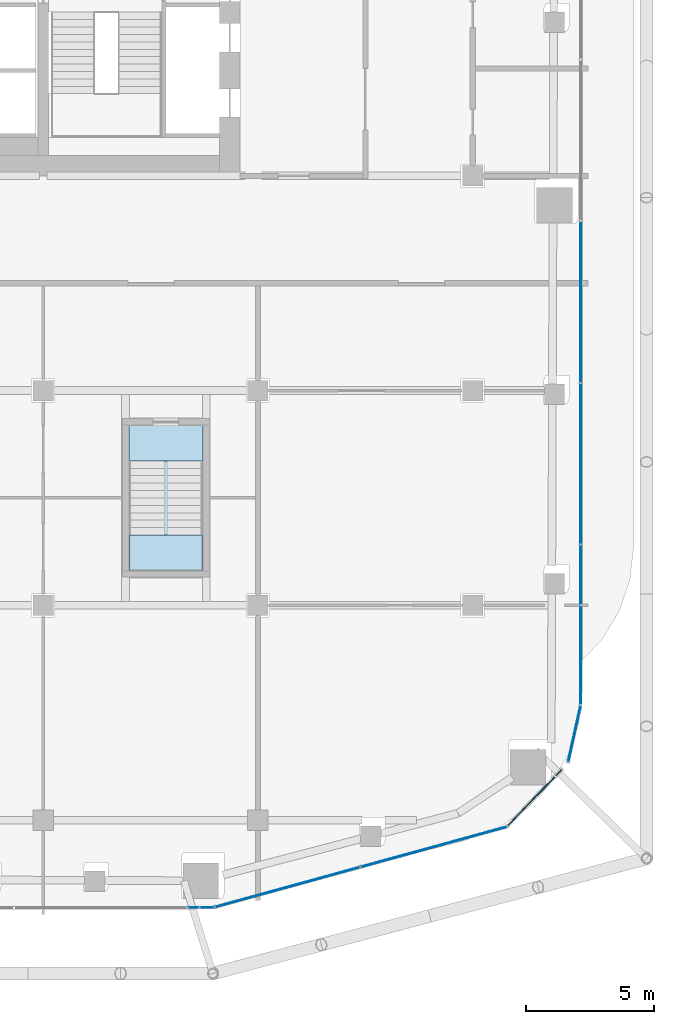
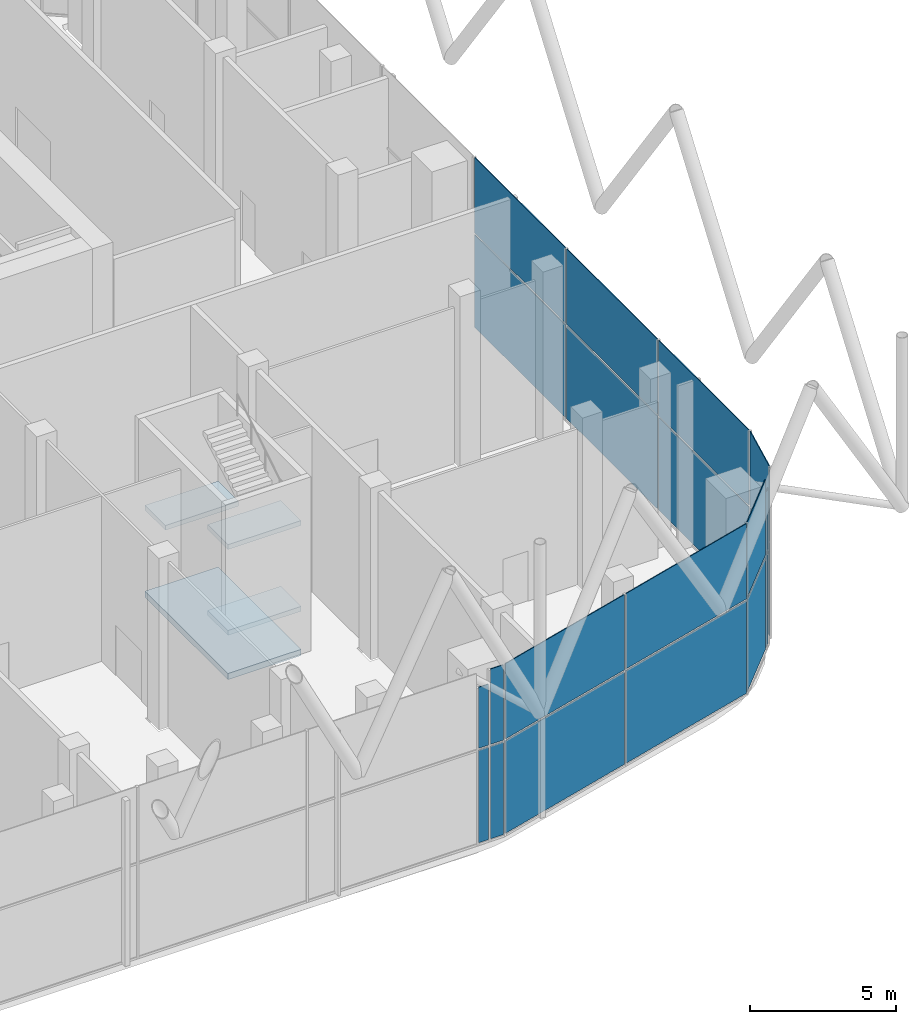
# One storey, part 15 of 25: 20 plates, 4 slabs, 8 elements without a shape of their own.
"""IFC4 building model written with IfcOpenShell, lengths in metres."""

from ifc_helpers import new_model, si_unit, direction, frame, origin, origin_2d, place, context, subcontext, project, spatial, polyline, rectangle, outline, extrude, material, layer, layer_set, type_object, element, aggregate, save


model = new_model("IFC4")

# Units and contexts
model_context = context("Model", 3, precision=1e-05, world=origin(), true_north=direction((0.0, 1.0)))
body_context = subcontext(model_context, "Body", "Model", "MODEL_VIEW")
ifc_project = project(units=[si_unit("LENGTHUNIT", "METRE"), si_unit("AREAUNIT", "SQUARE_METRE"), si_unit("VOLUMEUNIT", "CUBIC_METRE"), si_unit("PLANEANGLEUNIT", "RADIAN"), si_unit("MASSUNIT", "GRAM", prefix="KILO")], contexts=[model_context])

# Site, building, storey
site_placement = place(None, origin())
site = spatial("IfcSite", under=ifc_project, at=site_placement, CompositionType="ELEMENT")
building_placement = place(site_placement, origin())
building = spatial("IfcBuilding", under=site, at=building_placement, Name="Marenta Gate Hotel Tower", CompositionType="ELEMENT")
storey_placement = place(building_placement, frame((0.0, 0.0, 180.5)))
storey = spatial("IfcBuildingStorey", under=building, at=storey_placement, Name="L41", CompositionType="ELEMENT", Elevation=180.5)

# Curtain wall, plates
ifc_material_1 = material(Name="Tinted insulated glass in bronze anodised frame", Category="glass")
ifc_layer_1 = layer(ifc_material_1, 0.1298828125)
ifc_layer_set_1 = layer_set([ifc_layer_1], Name="Tinted insulated glass in bronze anodised frame")
curtain_wall_type = type_object("IfcCurtainWallType", Name="Sky lobby glazing CW2", PredefinedType="NOTDEFINED", material=ifc_layer_set_1)
curtain_wall_1_placement = place(storey_placement, origin())
curtain_wall_1 = element("IfcCurtainWall", 1, at=curtain_wall_1_placement, inside=storey, type_object=curtain_wall_type, Name="CW2 run G13", PredefinedType="NOTDEFINED")
ifc_material_2 = material(Name="Tinted insulated glass", Category="glass")
ifc_layer_2 = layer(ifc_material_2, 0.033935546875)
ifc_layer_set_2 = layer_set([ifc_layer_2], Name="Tinted insulated glass")
plate_type = type_object("IfcPlateType", Name="Glass panel CW2 34 mm tinted insulated unit", PredefinedType="CURTAIN_PANEL", material=ifc_layer_set_2)
plate_1_placement = place(storey_placement, frame((10.073486328125, -28.618896484375, 0.080078125), z_axis=(0.0, 0.0, 1.0), x_axis=(0.999998577531, 0.001686693784, 0.0)))
plate_1 = element("IfcPlate", 2, at=plate_1_placement, type_object=plate_type, Name="CW2 panel 1.1", PredefinedType="CURTAIN_PANEL", context=body_context, shape_type="SweptSolid", body=[
    extrude(rectangle(XDim=0.394287109375, YDim=0.033935546875, at=origin_2d()), origin(), (0.0, 0.0, 1.0), 3.8798828125),
])
plate_2_placement = place(storey_placement, frame((10.073486328125, -28.618896484375, 4.0400390625), z_axis=(0.0, 0.0, 1.0), x_axis=(0.999998577531, 0.001686693784, 0.0)))
plate_2 = element("IfcPlate", 3, at=plate_2_placement, type_object=plate_type, Name="CW2 panel 1.2", PredefinedType="CURTAIN_PANEL", context=body_context, shape_type="SweptSolid", body=[
    extrude(rectangle(XDim=0.394287109375, YDim=0.033935546875, at=origin_2d()), origin(), (0.0, 0.0, 1.0), 2.560546875),
])
aggregate(curtain_wall_1, [plate_1, plate_2])

curtain_wall_2_placement = place(storey_placement, origin())
curtain_wall_2 = element("IfcCurtainWall", 4, at=curtain_wall_2_placement, inside=storey, type_object=curtain_wall_type, Name="CW2 run G14", PredefinedType="NOTDEFINED")
plate_3_placement = place(storey_placement, frame((10.612548828125, -28.617919921875, 0.080078125), z_axis=(0.0, 0.0, 1.0), x_axis=(0.999998628086, 0.001656449609, 0.0)))
plate_3 = element("IfcPlate", 5, at=plate_3_placement, type_object=plate_type, Name="CW2 panel 1.1", PredefinedType="CURTAIN_PANEL", context=body_context, shape_type="SweptSolid", body=[
    extrude(rectangle(XDim=0.523681640625, YDim=0.033935546875, at=origin_2d()), origin(), (0.0, 0.0, 1.0), 3.8798828125),
])
plate_4_placement = place(storey_placement, frame((10.612548828125, -28.617919921875, 4.0400390625), z_axis=(0.0, 0.0, 1.0), x_axis=(0.999998628086, 0.001656449609, 0.0)))
plate_4 = element("IfcPlate", 6, at=plate_4_placement, type_object=plate_type, Name="CW2 panel 1.2", PredefinedType="CURTAIN_PANEL", context=body_context, shape_type="SweptSolid", body=[
    extrude(rectangle(XDim=0.523681640625, YDim=0.033935546875, at=origin_2d()), origin(), (0.0, 0.0, 1.0), 3.159912109375),
])
aggregate(curtain_wall_2, [plate_3, plate_4])

curtain_wall_3_placement = place(storey_placement, origin())
curtain_wall_3 = element("IfcCurtainWall", 7, at=curtain_wall_3_placement, inside=storey, type_object=curtain_wall_type, Name="CW2 run G15", PredefinedType="NOTDEFINED")
plate_5_placement = place(storey_placement, frame((13.7568359375, -27.824462890625, 0.080078125), z_axis=(0.0, 0.0, 1.0), x_axis=(0.964166102603, 0.265299315098, 0.0)))
plate_5 = element("IfcPlate", 8, at=plate_5_placement, type_object=plate_type, Name="CW2 panel 1.1", PredefinedType="CURTAIN_PANEL", context=body_context, shape_type="SweptSolid", body=[
    extrude(rectangle(XDim=5.8193359375, YDim=0.033935546875, at=origin_2d()), origin(), (0.0, 0.0, 1.0), 3.8798828125),
])
plate_6_placement = place(storey_placement, frame((13.7568359375, -27.824462890625, 4.0400390625), z_axis=(0.0, 0.0, 1.0), x_axis=(0.964166102603, 0.265299315098, 0.0)))
plate_6 = element("IfcPlate", 9, at=plate_6_placement, type_object=plate_type, Name="CW2 panel 1.2", PredefinedType="CURTAIN_PANEL", context=body_context, shape_type="SweptSolid", body=[
    extrude(rectangle(XDim=5.8193359375, YDim=0.033935546875, at=origin_2d()), origin(), (0.0, 0.0, 1.0), 3.159912109375),
])
plate_7_placement = place(storey_placement, frame((19.4833984375, -26.24853515625, 0.080078125), z_axis=(0.0, 0.0, 1.0), x_axis=(0.964166102603, 0.265299315098, 0.0)))
plate_7 = element("IfcPlate", 10, at=plate_7_placement, type_object=plate_type, Name="CW2 panel 2.1", PredefinedType="CURTAIN_PANEL", context=body_context, shape_type="SweptSolid", body=[
    extrude(rectangle(XDim=5.8994140625, YDim=0.033935546875, at=origin_2d()), origin(), (0.0, 0.0, 1.0), 3.8798828125),
])
plate_8_placement = place(storey_placement, frame((19.4833984375, -26.24853515625, 4.0400390625), z_axis=(0.0, 0.0, 1.0), x_axis=(0.964166102603, 0.265299315098, 0.0)))
plate_8 = element("IfcPlate", 11, at=plate_8_placement, type_object=plate_type, Name="CW2 panel 2.2", PredefinedType="CURTAIN_PANEL", context=body_context, shape_type="SweptSolid", body=[
    extrude(rectangle(XDim=5.8994140625, YDim=0.033935546875, at=origin_2d()), origin(), (0.0, 0.0, 1.0), 3.159912109375),
])
aggregate(curtain_wall_3, [plate_5, plate_6, plate_7, plate_8])

curtain_wall_4_placement = place(storey_placement, origin())
curtain_wall_4 = element("IfcCurtainWall", 12, at=curtain_wall_4_placement, inside=storey, type_object=curtain_wall_type, Name="CW2 run G16", PredefinedType="NOTDEFINED")
plate_9_placement = place(storey_placement, frame((23.294921875, -24.45849609375, 0.080078125), z_axis=(0.0, 0.0, 1.0), x_axis=(0.692570946291, 0.721349765616, 0.0)))
plate_9 = element("IfcPlate", 13, at=plate_9_placement, type_object=plate_type, Name="CW2 panel 1.1", PredefinedType="CURTAIN_PANEL", context=body_context, shape_type="SweptSolid", body=[
    extrude(rectangle(XDim=2.6337890625, YDim=0.033935546875, at=origin_2d()), origin(), (0.0, 0.0, 1.0), 3.8798828125),
])
plate_10_placement = place(storey_placement, frame((23.294921875, -24.45849609375, 4.0400390625), z_axis=(0.0, 0.0, 1.0), x_axis=(0.692570946291, 0.721349765616, 0.0)))
plate_10 = element("IfcPlate", 14, at=plate_10_placement, type_object=plate_type, Name="CW2 panel 1.2", PredefinedType="CURTAIN_PANEL", context=body_context, shape_type="SweptSolid", body=[
    extrude(rectangle(XDim=2.6337890625, YDim=0.033935546875, at=origin_2d()), origin(), (0.0, 0.0, 1.0), 3.159912109375),
])
aggregate(curtain_wall_4, [plate_9, plate_10])

curtain_wall_5_placement = place(storey_placement, origin())
curtain_wall_5 = element("IfcCurtainWall", 15, at=curtain_wall_5_placement, inside=storey, type_object=curtain_wall_type, Name="CW2 run G17", PredefinedType="NOTDEFINED")
plate_11_placement = place(storey_placement, frame((24.36376953125, -23.34521484375, 0.080078125), z_axis=(0.0, 0.0, 1.0), x_axis=(0.692499661278, 0.721418199888, 0.0)))
plate_11 = element("IfcPlate", 16, at=plate_11_placement, type_object=plate_type, Name="CW2 panel 1.1", PredefinedType="CURTAIN_PANEL", context=body_context, shape_type="SweptSolid", body=[
    extrude(rectangle(XDim=0.29296875, YDim=0.033935546875, at=origin_2d()), origin(), (0.0, 0.0, 1.0), 3.8798828125),
])
plate_12_placement = place(storey_placement, frame((24.36376953125, -23.34521484375, 4.0400390625), z_axis=(0.0, 0.0, 1.0), x_axis=(0.692499661278, 0.721418199888, 0.0)))
plate_12 = element("IfcPlate", 17, at=plate_12_placement, type_object=plate_type, Name="CW2 panel 1.2", PredefinedType="CURTAIN_PANEL", context=body_context, shape_type="SweptSolid", body=[
    extrude(rectangle(XDim=0.29296875, YDim=0.033935546875, at=origin_2d()), origin(), (0.0, 0.0, 1.0), 2.560546875),
])
aggregate(curtain_wall_5, [plate_11, plate_12])

curtain_wall_6_placement = place(storey_placement, origin())
curtain_wall_6 = element("IfcCurtainWall", 18, at=curtain_wall_6_placement, inside=storey, type_object=curtain_wall_type, Name="CW2 run G18", PredefinedType="NOTDEFINED")
plate_13_placement = place(storey_placement, frame((24.980712890625, -21.817626953125, 0.080078125), z_axis=(0.0, 0.0, 1.0), x_axis=(0.216842168038, 0.976206675946, 0.0)))
plate_13 = element("IfcPlate", 19, at=plate_13_placement, type_object=plate_type, Name="CW2 panel 1.1", PredefinedType="CURTAIN_PANEL", context=body_context, shape_type="SweptSolid", body=[
    extrude(rectangle(XDim=2.198486328125, YDim=0.033935546875, at=origin_2d()), origin(), (0.0, 0.0, 1.0), 3.8798828125),
])
plate_14_placement = place(storey_placement, frame((24.980712890625, -21.817626953125, 4.0400390625), z_axis=(0.0, 0.0, 1.0), x_axis=(0.216842168038, 0.976206675946, 0.0)))
plate_14 = element("IfcPlate", 20, at=plate_14_placement, type_object=plate_type, Name="CW2 panel 1.2", PredefinedType="CURTAIN_PANEL", context=body_context, shape_type="SweptSolid", body=[
    extrude(rectangle(XDim=2.198486328125, YDim=0.033935546875, at=origin_2d()), origin(), (0.0, 0.0, 1.0), 3.159912109375),
])
aggregate(curtain_wall_6, [plate_13, plate_14])

curtain_wall_7_placement = place(storey_placement, origin())
curtain_wall_7 = element("IfcCurtainWall", 21, at=curtain_wall_7_placement, inside=storey, type_object=curtain_wall_type, Name="CW2 run G19", PredefinedType="NOTDEFINED")
plate_15_placement = place(storey_placement, frame((25.218994140625, -17.56298828125, 0.080078125), z_axis=(0.0, 0.0, 1.0), x_axis=(0.0, 1.0, 0.0)))
plate_15 = element("IfcPlate", 22, at=plate_15_placement, type_object=plate_type, Name="CW2 panel 1.1", PredefinedType="CURTAIN_PANEL", context=body_context, shape_type="SweptSolid", body=[
    extrude(rectangle(XDim=6.202880859375, YDim=0.033935546875, at=origin_2d()), origin(), (0.0, 0.0, 1.0), 3.8798828125),
])
plate_16_placement = place(storey_placement, frame((25.218994140625, -17.56298828125, 4.0400390625), z_axis=(0.0, 0.0, 1.0), x_axis=(0.0, 1.0, 0.0)))
plate_16 = element("IfcPlate", 23, at=plate_16_placement, type_object=plate_type, Name="CW2 panel 1.2", PredefinedType="CURTAIN_PANEL", context=body_context, shape_type="SweptSolid", body=[
    extrude(rectangle(XDim=6.202880859375, YDim=0.033935546875, at=origin_2d()), origin(), (0.0, 0.0, 1.0), 3.159912109375),
])
plate_17_placement = place(storey_placement, frame((25.218994140625, -11.26025390625, 0.080078125), z_axis=(0.0, 0.0, 1.0), x_axis=(0.0, 1.0, 0.0)))
plate_17 = element("IfcPlate", 24, at=plate_17_placement, type_object=plate_type, Name="CW2 panel 2.1", PredefinedType="CURTAIN_PANEL", context=body_context, shape_type="SweptSolid", body=[
    extrude(rectangle(XDim=6.242919921875, YDim=0.033935546875, at=origin_2d()), origin(), (0.0, 0.0, 1.0), 3.8798828125),
])
plate_18_placement = place(storey_placement, frame((25.218994140625, -11.26025390625, 4.0400390625), z_axis=(0.0, 0.0, 1.0), x_axis=(0.0, 1.0, 0.0)))
plate_18 = element("IfcPlate", 25, at=plate_18_placement, type_object=plate_type, Name="CW2 panel 2.2", PredefinedType="CURTAIN_PANEL", context=body_context, shape_type="SweptSolid", body=[
    extrude(rectangle(XDim=6.242919921875, YDim=0.033935546875, at=origin_2d()), origin(), (0.0, 0.0, 1.0), 3.159912109375),
])
plate_19_placement = place(storey_placement, frame((25.218994140625, -4.9375, 0.080078125), z_axis=(0.0, 0.0, 1.0), x_axis=(0.0, 1.0, 0.0)))
plate_19 = element("IfcPlate", 26, at=plate_19_placement, type_object=plate_type, Name="CW2 panel 3.1", PredefinedType="CURTAIN_PANEL", context=body_context, shape_type="SweptSolid", body=[
    extrude(rectangle(XDim=6.242919921875, YDim=0.033935546875, at=origin_2d()), origin(), (0.0, 0.0, 1.0), 3.8798828125),
])
plate_20_placement = place(storey_placement, frame((25.218994140625, -4.9375, 4.0400390625), z_axis=(0.0, 0.0, 1.0), x_axis=(0.0, 1.0, 0.0)))
plate_20 = element("IfcPlate", 27, at=plate_20_placement, type_object=plate_type, Name="CW2 panel 3.2", PredefinedType="CURTAIN_PANEL", context=body_context, shape_type="SweptSolid", body=[
    extrude(rectangle(XDim=6.242919921875, YDim=0.033935546875, at=origin_2d()), origin(), (0.0, 0.0, 1.0), 3.159912109375),
])
aggregate(curtain_wall_7, [plate_15, plate_16, plate_17, plate_18, plate_19, plate_20])

# Stair, slabs
ifc_material_3 = material(Name="Concrete C40", Category="concrete")
stair_type = type_object("IfcStairType", Name="Remote exit stair 1400 wide", PredefinedType="HALF_TURN_STAIR", material=ifc_material_3)
stair_placement = place(storey_placement, origin())
stair = element("IfcStair", 28, at=stair_placement, inside=storey, type_object=stair_type, Name="Exit stair RS-Z3-2", PredefinedType="HALF_TURN_STAIR")
ifc_material_4 = material(Name="Concrete C40", Category="concrete")
ifc_layer_3 = layer(ifc_material_4, 0.199951171875)
ifc_layer_set_3 = layer_set([ifc_layer_3], Name="Concrete C40")
slab_type_1 = type_object("IfcSlabType", Name="Remote stair landing 200", PredefinedType="LANDING", material=ifc_layer_set_3)
slab_1_placement = place(storey_placement, frame((0.0, 0.0, 1.60009765625)))
slab_1 = element("IfcSlab", 29, at=slab_1_placement, type_object=slab_type_1, Name="RL-200 RS-Z3-2 landing 1", PredefinedType="LANDING", context=body_context, shape_type="SweptSolid", body=[
    extrude(outline(polyline([(7.550048828125, -15.449951171875), (10.449951171875, -15.449951171875), (10.449951171875, -14.050048828125), (7.550048828125, -14.050048828125), (7.550048828125, -15.449951171875)])), origin(), (0.0, 0.0, 1.0), 0.199951171875),
])
slab_2_placement = place(storey_placement, frame((0.0, 0.0, 3.39990234375)))
slab_2 = element("IfcSlab", 30, at=slab_2_placement, type_object=slab_type_1, Name="RL-200 RS-Z3-2 landing 2", PredefinedType="LANDING", context=body_context, shape_type="SweptSolid", body=[
    extrude(outline(polyline([(7.550048828125, -11.14990234375), (10.449951171875, -11.14990234375), (10.449951171875, -9.75), (7.550048828125, -9.75), (7.550048828125, -11.14990234375)])), origin(), (0.0, 0.0, 1.0), 0.2001953125),
])
slab_3_placement = place(storey_placement, frame((0.0, 0.0, 5.199951171875)))
slab_3 = element("IfcSlab", 31, at=slab_3_placement, type_object=slab_type_1, Name="RL-200 RS-Z3-2 landing 3", PredefinedType="LANDING", context=body_context, shape_type="SweptSolid", body=[
    extrude(outline(polyline([(7.550048828125, -15.449951171875), (10.449951171875, -15.449951171875), (10.449951171875, -14.050048828125), (7.550048828125, -14.050048828125), (7.550048828125, -15.449951171875)])), origin(), (0.0, 0.0, 1.0), 0.199951171875),
])
aggregate(stair, [slab_1, slab_2, slab_3])

# Slab
ifc_material_5 = material(Name="Concrete C40", Category="concrete")
ifc_layer_4 = layer(ifc_material_5, 0.300048828125)
ifc_layer_set_4 = layer_set([ifc_layer_4], Name="Concrete C40")
slab_type_2 = type_object("IfcSlabType", Name="Stair floor landing slab 300", PredefinedType="FLOOR", material=ifc_layer_set_4)
slab_4_placement = place(storey_placement, frame((0.0, 0.0, -0.260009765625)))
element("IfcSlab", 32, at=slab_4_placement, inside=storey, type_object=slab_type_2, Name="L41-RS-Z3-2-CL", PredefinedType="FLOOR", context=body_context, shape_type="SweptSolid", body=[
    extrude(outline(polyline([(10.449951171875, -15.449951171875), (10.449951171875, -9.75), (7.550048828125, -9.75), (7.550048828125, -15.449951171875), (10.449951171875, -15.449951171875)])), origin(), (0.0, 0.0, 1.0), 0.260009765625),
])

save(model, "model.ifc")
